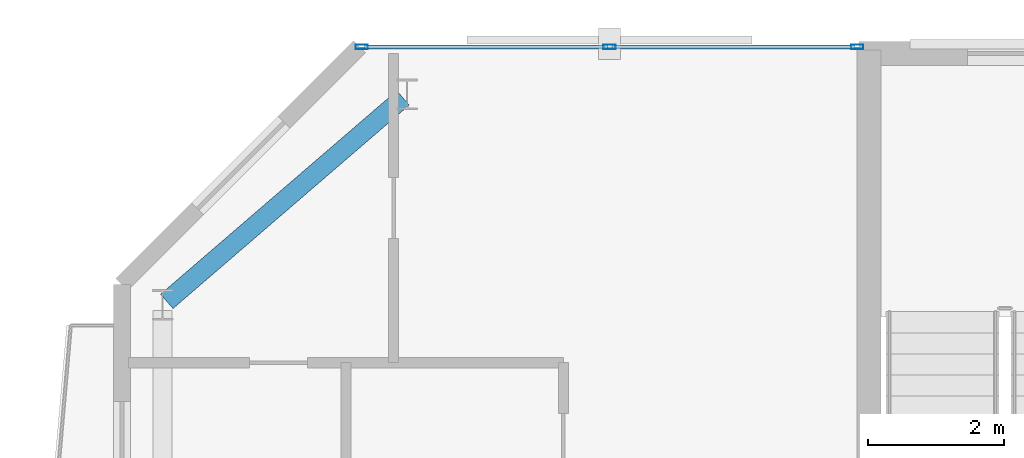
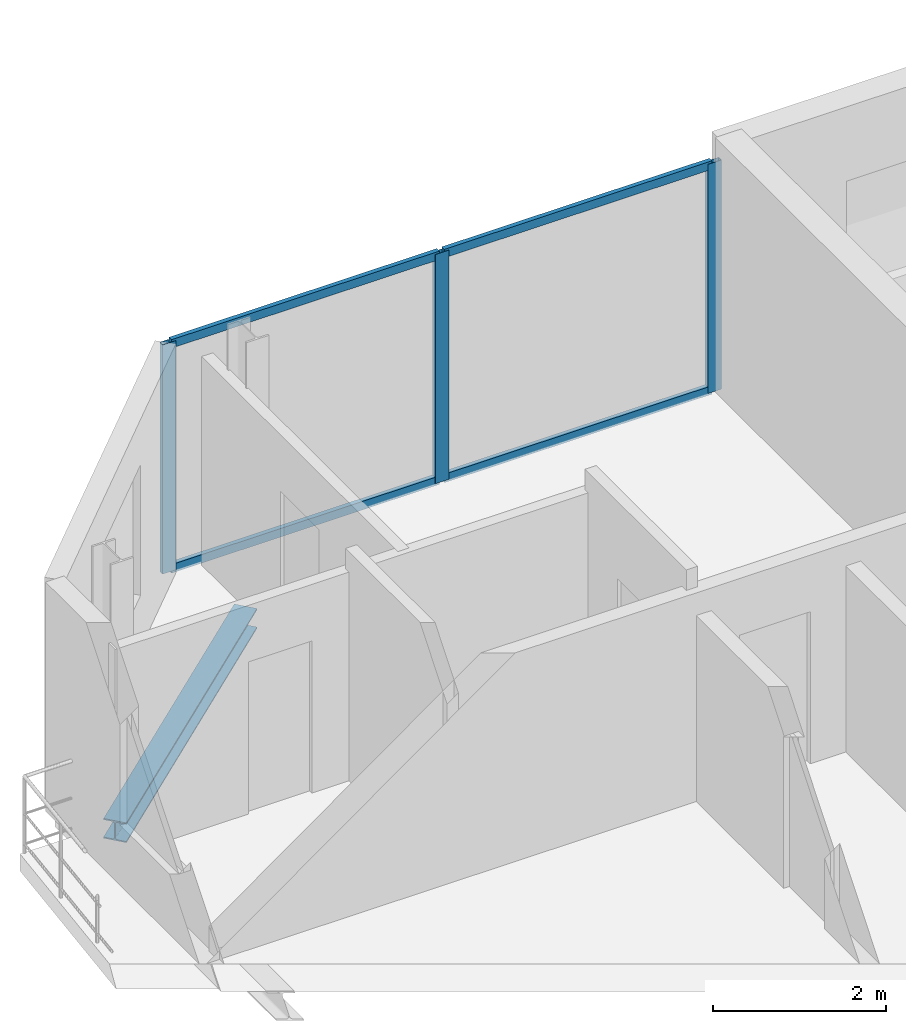
# One storey, part 15 of 23: 7 members, 1 beam, 1 element without a shape of its own.
"""IFC4 building model written with IfcOpenShell, lengths in metres."""

from ifc_helpers import new_model, si_unit, direction, frame, origin, origin_2d, place, context, subcontext, project, spatial, hollow_rectangle, i_section, extrude, material, layer, layer_set, material_profile, profile_set, type_object, element, aggregate, save


model = new_model("IFC4")

# Units and contexts
model_context = context("Model", 3, precision=1e-05, world=origin(), true_north=direction((0.0, 1.0)))
body_context = subcontext(model_context, "Body", "Model", "MODEL_VIEW")
ifc_project = project(units=[si_unit("LENGTHUNIT", "METRE"), si_unit("AREAUNIT", "SQUARE_METRE"), si_unit("VOLUMEUNIT", "CUBIC_METRE"), si_unit("PLANEANGLEUNIT", "RADIAN"), si_unit("MASSUNIT", "GRAM", prefix="KILO")], contexts=[model_context])

# Site, building, storey
site_placement = place(None, origin())
site = spatial("IfcSite", under=ifc_project, at=site_placement, CompositionType="ELEMENT")
building_placement = place(site_placement, origin())
building = spatial("IfcBuilding", under=site, at=building_placement, Name="Catumbela Crestline Tower", CompositionType="ELEMENT")
storey_placement = place(building_placement, frame((0.0, 0.0, 204.6)))
storey = spatial("IfcBuildingStorey", under=building, at=storey_placement, Name="L53", CompositionType="ELEMENT", Elevation=204.6)

# Curtain wall, members
ifc_material_1 = material(Name="Aluminium alloy AW-6060-T66", Category="aluminium")
ifc_layer = layer(ifc_material_1, 0.18, Name="Aluminium alloy AW-6060-T66")
ifc_layer_set = layer_set([ifc_layer], Name="Aluminium alloy AW-6060-T66")
curtain_wall_type = type_object("IfcCurtainWallType", Name="CWU-Z3", PredefinedType="USERDEFINED", material=ifc_layer_set)
curtain_wall_placement = place(storey_placement, origin())
curtain_wall = element("IfcCurtainWall", 1, at=curtain_wall_placement, inside=storey, type_object=curtain_wall_type, Name="L53 Unitised Curtain Wall CW-L53-E7S2", ObjectType="UNITISED", PredefinedType="USERDEFINED")
ifc_material_profile_1 = material_profile(ifc_material_1, hollow_rectangle(XDim=0.065, YDim=0.18, WallThickness=0.004, at=origin_2d()), Name="ALU 180x65x4")
ifc_profile_set_1 = profile_set([ifc_material_profile_1], Name="Aluminium alloy AW-6060-T66")
member_type_1 = type_object("IfcMemberType", Name="MUL-180X65", PredefinedType="MULLION", material=ifc_profile_set_1)
member_1_placement = place(storey_placement, frame((15.8275, 43.0, 0.0), z_axis=(0.0, 0.0, 1.0), x_axis=(0.0, -1.0, 0.0)))
member_1 = element("IfcMember", 2, at=member_1_placement, type_object=member_type_1, Name="CWU-Z3 mullion 1", PredefinedType="MULLION", context=body_context, shape_type="SweptSolid", body=[
    extrude(hollow_rectangle(XDim=0.065, YDim=0.18, WallThickness=0.004, at=origin_2d()), origin(), (0.0, 0.0, 1.0), 3.24),
])
member_2_placement = place(storey_placement, frame((12.18, 43.0, 0.0), z_axis=(0.0, 0.0, 1.0), x_axis=(0.0, -1.0, 0.0)))
member_2 = element("IfcMember", 3, at=member_2_placement, type_object=member_type_1, Name="CWU-Z3 mullion 2", PredefinedType="MULLION", context=body_context, shape_type="SweptSolid", body=[
    extrude(hollow_rectangle(XDim=0.065, YDim=0.18, WallThickness=0.004, at=origin_2d()), origin(), (0.0, 0.0, 1.0), 3.24),
])
member_3_placement = place(storey_placement, frame((8.5325, 43.0, 0.0), z_axis=(0.0, 0.0, 1.0), x_axis=(0.0, -1.0, 0.0)))
member_3 = element("IfcMember", 4, at=member_3_placement, type_object=member_type_1, Name="CWU-Z3 mullion 3", PredefinedType="MULLION", context=body_context, shape_type="SweptSolid", body=[
    extrude(hollow_rectangle(XDim=0.065, YDim=0.18, WallThickness=0.004, at=origin_2d()), origin(), (0.0, 0.0, 1.0), 3.24),
])

# Beam
ifc_material_2 = material(Name="Structural steel S355J2", Category="steel")
ifc_material_profile_2 = material_profile(ifc_material_2, i_section(OverallWidth=0.28, OverallDepth=0.28, WebThickness=0.0105, FlangeThickness=0.018, FilletRadius=0.024, at=origin_2d()), Name="HEB 280")
ifc_profile_set_2 = profile_set([ifc_material_profile_2], Name="Structural steel S355J2")
beam_type = type_object("IfcBeamType", Name="BS-HEB280", PredefinedType="SPANDREL", material=ifc_profile_set_2)
beam_placement = place(storey_placement, frame((5.6606, 39.2522, -0.4), z_axis=(0.757772392559, 0.652518966066, 0.0), x_axis=(-0.652518966066, 0.757772392559, 0.0)))
element("IfcBeam", 5, at=beam_placement, inside=storey, type_object=beam_type, Name="L53 Spandrel SP-L53-N10", PredefinedType="SPANDREL", context=body_context, shape_type="SweptSolid", body=[
    extrude(i_section(OverallWidth=0.28, OverallDepth=0.28, WebThickness=0.0105, FlangeThickness=0.018, FilletRadius=0.024, at=origin_2d()), origin(), (0.0, 0.0, 1.0), 4.5908),
])

# Member
ifc_material_profile_3 = material_profile(ifc_material_1, hollow_rectangle(XDim=0.06, YDim=0.12, WallThickness=0.0035, at=origin_2d()), Name="ALU 120x60x3.5")
ifc_profile_set_3 = profile_set([ifc_material_profile_3], Name="Aluminium alloy AW-6060-T66")
member_type_2 = type_object("IfcMemberType", Name="TRN-120X60", PredefinedType="USERDEFINED", material=ifc_profile_set_3)
member_4_placement = place(storey_placement, frame((15.795, 43.0, 0.03), z_axis=(-1.0, 0.0, 0.0), x_axis=(0.0, -1.0, 0.0)))
member_4 = element("IfcMember", 6, at=member_4_placement, type_object=member_type_2, Name="CWU-Z3 transom 1.1", ObjectType="TRANSOM", PredefinedType="USERDEFINED", context=body_context, shape_type="SweptSolid", body=[
    extrude(hollow_rectangle(XDim=0.06, YDim=0.12, WallThickness=0.0035, at=origin_2d()), origin(), (0.0, 0.0, 1.0), 3.5825),
])

member_5_placement = place(storey_placement, frame((15.795, 43.0, 3.21), z_axis=(-1.0, 0.0, 0.0), x_axis=(0.0, -1.0, 0.0)))
member_5 = element("IfcMember", 7, at=member_5_placement, type_object=member_type_2, Name="CWU-Z3 transom 1.2", ObjectType="TRANSOM", PredefinedType="USERDEFINED", context=body_context, shape_type="SweptSolid", body=[
    extrude(hollow_rectangle(XDim=0.06, YDim=0.12, WallThickness=0.0035, at=origin_2d()), origin(), (0.0, 0.0, 1.0), 3.5825),
])

member_6_placement = place(storey_placement, frame((12.1475, 43.0, 0.03), z_axis=(-1.0, 0.0, 0.0), x_axis=(0.0, -1.0, 0.0)))
member_6 = element("IfcMember", 8, at=member_6_placement, type_object=member_type_2, Name="CWU-Z3 transom 2.1", ObjectType="TRANSOM", PredefinedType="USERDEFINED", context=body_context, shape_type="SweptSolid", body=[
    extrude(hollow_rectangle(XDim=0.06, YDim=0.12, WallThickness=0.0035, at=origin_2d()), origin(), (0.0, 0.0, 1.0), 3.5825),
])

member_7_placement = place(storey_placement, frame((12.1475, 43.0, 3.21), z_axis=(-1.0, 0.0, 0.0), x_axis=(0.0, -1.0, 0.0)))
member_7 = element("IfcMember", 9, at=member_7_placement, type_object=member_type_2, Name="CWU-Z3 transom 2.2", ObjectType="TRANSOM", PredefinedType="USERDEFINED", context=body_context, shape_type="SweptSolid", body=[
    extrude(hollow_rectangle(XDim=0.06, YDim=0.12, WallThickness=0.0035, at=origin_2d()), origin(), (0.0, 0.0, 1.0), 3.5825),
])

aggregate(curtain_wall, [member_1, member_2, member_3, member_4, member_5, member_6, member_7])

save(model, "model.ifc")
